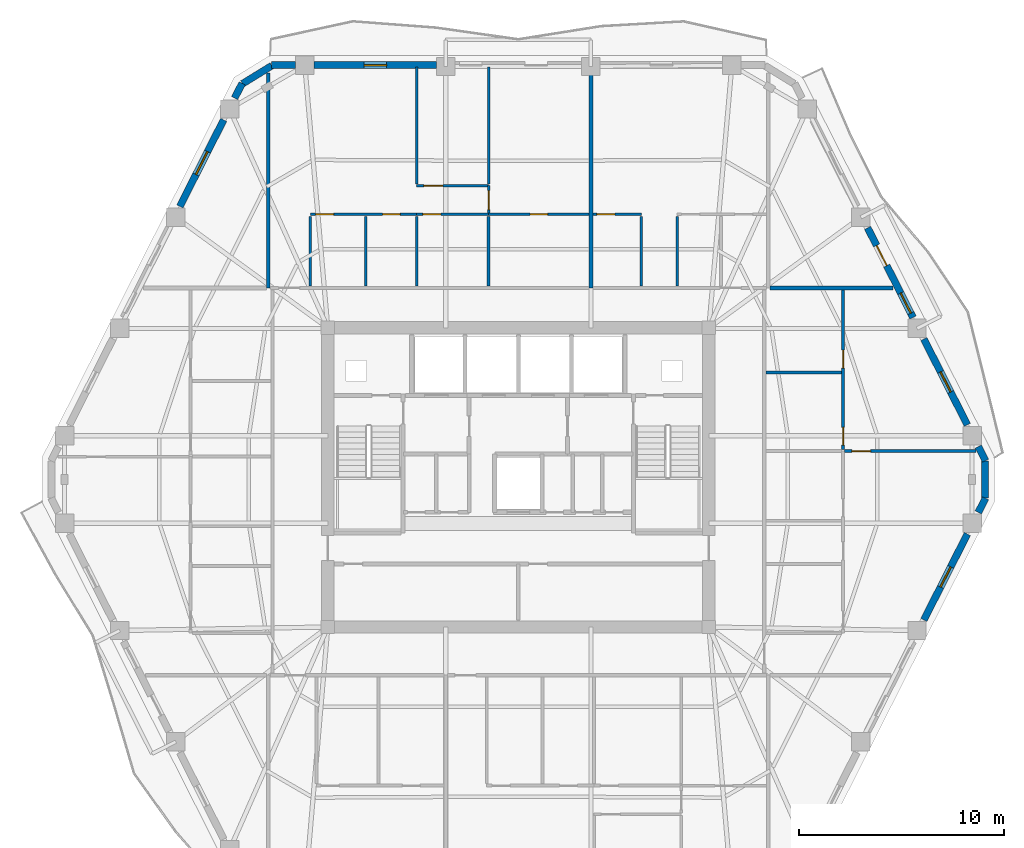
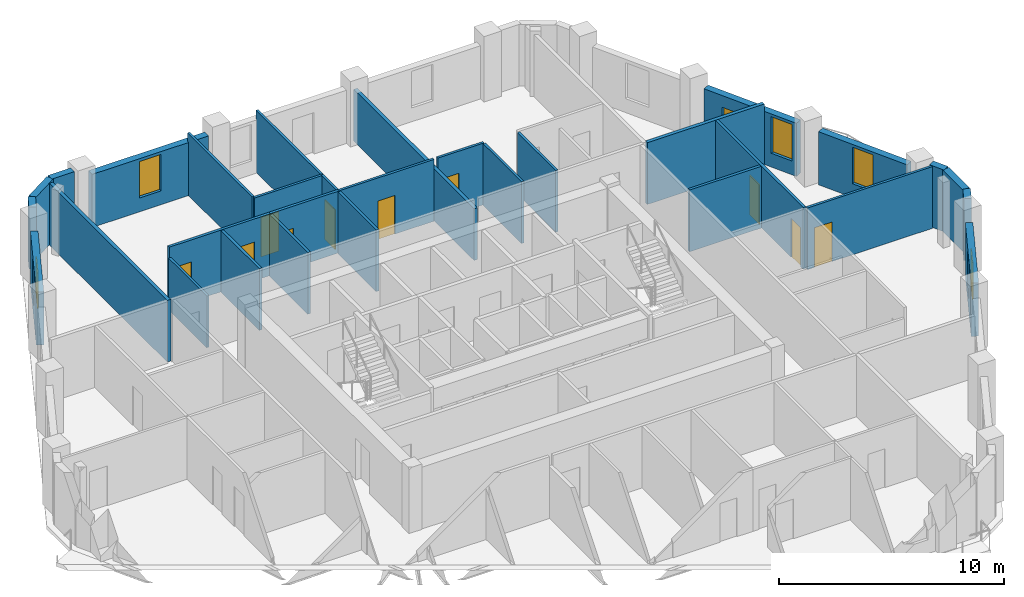
# One storey, part 7 of 11: 31 walls, 11 doors, 5 windows, 16 openings.
"""IFC4 building model written with IfcOpenShell, lengths in metres."""

from ifc_helpers import new_model, si_unit, direction, frame, frame_2d, origin, place, context, subcontext, project, spatial, rectangle, extrude, material, layer, layer_set, type_object, element, fill, save


model = new_model("IFC4")

# Units and contexts
model_context = context("Model", 3, precision=1e-05, world=origin(), true_north=direction((0.0, 1.0)))
body_context = subcontext(model_context, "Body", "Model", "MODEL_VIEW")
ifc_project = project(units=[si_unit("LENGTHUNIT", "METRE"), si_unit("AREAUNIT", "SQUARE_METRE"), si_unit("VOLUMEUNIT", "CUBIC_METRE"), si_unit("PLANEANGLEUNIT", "RADIAN"), si_unit("MASSUNIT", "GRAM", prefix="KILO")], contexts=[model_context])

# Site, building, storey
site_placement = place(None, origin())
site = spatial("IfcSite", under=ifc_project, at=site_placement, CompositionType="ELEMENT")
building_placement = place(site_placement, origin())
building = spatial("IfcBuilding", under=site, at=building_placement, Name="Cinnabar Lancet Tower", CompositionType="ELEMENT")
storey_placement = place(building_placement, frame((0.0, 0.0, 179.0)))
storey = spatial("IfcBuildingStorey", under=building, at=storey_placement, Name="L47", CompositionType="ELEMENT", Elevation=179.0)

# Walls
ifc_material_1 = material(Name="Fire-rated twin-frame acoustic drywall", Category="gypsum")
ifc_layer_1 = layer(ifc_material_1, 0.179931640625)
ifc_layer_set_1 = layer_set([ifc_layer_1], Name="Fire-rated twin-frame acoustic drywall")
wall_type_1 = type_object("IfcWallType", Name="ARC-WL-PARTY-180", PredefinedType="PARTITIONING", material=ifc_layer_set_1)
wall_1_placement = place(storey_placement, frame((20.199951171875, 35.14990234375, 0.0), z_axis=(0.0, 0.0, 1.0), x_axis=(0.0, 1.0, 0.0)))
element("IfcWall", 1, at=wall_1_placement, inside=storey, type_object=wall_type_1, Name="PW-L47-NPTY-202", PredefinedType="PARTITIONING", context=body_context, shape_type="SweptSolid", body=[
    extrude(rectangle(XDim=10.482177734375, YDim=0.179931640625, at=frame_2d((5.2412109375, 0.0))), origin(), (0.0, 0.0, 1.0), 3.35009765625),
])
wall_2_placement = place(storey_placement, frame((35.943115234375, 35.14990234375, 0.0), z_axis=(0.0, 0.0, 1.0), x_axis=(0.0, 1.0, 0.0)))
element("IfcWall", 2, at=wall_2_placement, inside=storey, type_object=wall_type_1, Name="PW-L47-NPTY-359", PredefinedType="PARTITIONING", context=body_context, shape_type="SweptSolid", body=[
    extrude(rectangle(XDim=10.695068359375, YDim=0.179931640625, at=frame_2d((5.34765625, 0.0))), origin(), (0.0, 0.0, 1.0), 2.806884765625),
])
wall_3_placement = place(storey_placement, frame((44.695068359375, 35.14990234375, 0.0), z_axis=(0.0, 0.0, 1.0), x_axis=(1.0, 0.0, 0.0)))
element("IfcWall", 3, at=wall_3_placement, inside=storey, type_object=wall_type_1, Name="PW-L47-ENB", PredefinedType="PARTITIONING", context=body_context, shape_type="SweptSolid", body=[
    extrude(rectangle(XDim=5.994873046875, YDim=0.179931640625, at=frame_2d((2.99755859375, 0.0))), origin(), (0.0, 0.0, 1.0), 3.35009765625),
])
ifc_material_2 = material(Name="Gypsum plasterboard stud partition", Category="gypsum")
ifc_layer_2 = layer(ifc_material_2, 0.125)
ifc_layer_set_2 = layer_set([ifc_layer_2], Name="Gypsum plasterboard stud partition")
wall_type_2 = type_object("IfcWallType", Name="ARC-WL-UNIT-125", PredefinedType="PARTITIONING", material=ifc_layer_set_2)
wall_4_placement = place(storey_placement, frame((22.25, 35.235107421875, 0.0), z_axis=(0.0, 0.0, 1.0), x_axis=(0.0, 1.0, 0.0)))
element("IfcWall", 4, at=wall_4_placement, inside=storey, type_object=wall_type_2, Name="UW-L47-N01-FOYE", PredefinedType="PARTITIONING", context=body_context, shape_type="SweptSolid", body=[
    extrude(rectangle(XDim=3.40478515625, YDim=0.125, at=frame_2d((1.702392578125, 0.0))), origin(), (0.0, 0.0, 1.0), 2.806884765625),
])

# Wall, opening, door
wall_5_placement = place(storey_placement, frame((30.949951171875, 38.7451171875, 0.0), z_axis=(0.0, 0.0, 1.0), x_axis=(1.0, 0.0, 0.0)))
wall_5 = element("IfcWall", 5, at=wall_5_placement, inside=storey, type_object=wall_type_2, Name="UW-L47-N01-SP2", PredefinedType="PARTITIONING", context=body_context, shape_type="SweptSolid", body=[
    extrude(rectangle(XDim=4.89794921875, YDim=0.125, at=frame_2d((2.448974609375, 0.0))), origin(), (0.0, 0.0, 1.0), 3.35009765625),
])
opening_1_placement = place(wall_5_placement, frame((2.02392578125, 0.0, 0.0)))
opening_1 = element("IfcOpeningElement", 6, at=opening_1_placement, cuts=wall_5, Name="Opening BD-01", PredefinedType="OPENING", context=body_context, shape_type="SweptSolid", body=[
    extrude(rectangle(XDim=0.860107421875, YDim=2.10009765625, at=frame_2d((0.43017578125, 1.050048828125))), frame((0.0, 0.072509765625, 0.0), z_axis=(0.0, -1.0, 0.0), x_axis=(1.0, 0.0, 0.0)), (0.0, 0.0, 1.0), 0.14501953125),
])
ifc_material_3 = material(Name="Moisture-resistant timber bathroom door", Category="wood")
door_type_1 = type_object("IfcDoorType", Name="ARC-DR-BATH", OperationType="NOTDEFINED", PredefinedType="DOOR", material=ifc_material_3)
door_1_placement = place(opening_1_placement, origin())
door_1 = element("IfcDoor", 7, at=door_1_placement, inside=storey, type_object=door_type_1, Name="DR-L47-N01-ENS", OperationType="SINGLE_SWING_LEFT", OverallHeight=2.10009765625, OverallWidth=0.860107421875, PredefinedType="DOOR", context=body_context, shape_type="SweptSolid", body=[
    extrude(rectangle(XDim=0.860107421875, YDim=2.10009765625, at=frame_2d((0.43017578125, 1.050048828125))), frame((0.0, 0.02490234375, 0.0), z_axis=(0.0, -1.0, 0.0), x_axis=(1.0, 0.0, 0.0)), (0.0, 0.0, 1.0), 0.050048828125),
])
fill(opening_1, door_1)

# Wall
wall_6_placement = place(storey_placement, frame((27.44189453125, 40.2099609375, 0.0), z_axis=(0.0, 0.0, 1.0), x_axis=(0.0, 1.0, 0.0)))
element("IfcWall", 8, at=wall_6_placement, inside=storey, type_object=wall_type_2, Name="UW-L47-N01-BD2W", PredefinedType="PARTITIONING", context=body_context, shape_type="SweptSolid", body=[
    extrude(rectangle(XDim=5.72509765625, YDim=0.125, at=frame_2d((2.862548828125, 0.0))), origin(), (0.0, 0.0, 1.0), 3.35009765625),
])

# Wall, opening, door
wall_7_placement = place(storey_placement, frame((27.44189453125, 40.14501953125, 0.0), z_axis=(0.0, 0.0, 1.0), x_axis=(1.0, 0.0, 0.0)))
wall_7 = element("IfcWall", 9, at=wall_7_placement, inside=storey, type_object=wall_type_2, Name="UW-L47-N01-HLN", PredefinedType="PARTITIONING", context=body_context, shape_type="SweptSolid", body=[
    extrude(rectangle(XDim=3.508056640625, YDim=0.125, at=frame_2d((1.75390625, 0.0))), origin(), (0.0, 0.0, 1.0), 3.35009765625),
])
opening_2_placement = place(wall_7_placement, frame((0.35009765625, 0.0, 0.0)))
opening_2 = element("IfcOpeningElement", 10, at=opening_2_placement, cuts=wall_7, Name="Opening RD-01", PredefinedType="OPENING", context=body_context, shape_type="SweptSolid", body=[
    extrude(rectangle(XDim=0.919921875, YDim=2.14990234375, at=frame_2d((0.4599609375, 1.074951171875))), frame((0.0, 0.072509765625, 0.0), z_axis=(0.0, -1.0, 0.0), x_axis=(1.0, 0.0, 0.0)), (0.0, 0.0, 1.0), 0.14501953125),
])
ifc_material_4 = material(Name="Engineered timber bedroom door", Category="wood")
door_type_2 = type_object("IfcDoorType", Name="ARC-DR-ROOM", OperationType="NOTDEFINED", PredefinedType="DOOR", material=ifc_material_4)
door_2_placement = place(opening_2_placement, origin())
door_2 = element("IfcDoor", 11, at=door_2_placement, inside=storey, type_object=door_type_2, Name="DR-L47-N01-BD2", OperationType="SINGLE_SWING_RIGHT", OverallHeight=2.14990234375, OverallWidth=0.919921875, PredefinedType="DOOR", context=body_context, shape_type="SweptSolid", body=[
    extrude(rectangle(XDim=0.919921875, YDim=2.14990234375, at=frame_2d((0.4599609375, 1.074951171875))), frame((0.0, 0.02490234375, 0.0), z_axis=(0.0, -1.0, 0.0), x_axis=(1.0, 0.0, 0.0)), (0.0, 0.0, 1.0), 0.050048828125),
])
fill(opening_2, door_2)

wall_8_placement = place(storey_placement, frame((30.949951171875, 38.81494140625, 0.0), z_axis=(0.0, 0.0, 1.0), x_axis=(0.0, 1.0, 0.0)))
wall_8 = element("IfcWall", 12, at=wall_8_placement, inside=storey, type_object=wall_type_2, Name="UW-L47-N01-MBE", PredefinedType="PARTITIONING", context=body_context, shape_type="SweptSolid", body=[
    extrude(rectangle(XDim=1.330078125, YDim=0.125, at=frame_2d((0.6650390625, 0.0))), origin(), (0.0, 0.0, 1.0), 3.35009765625),
])
opening_3_placement = place(wall_8_placement, frame((0.159912109375, 0.0, 0.0)))
opening_3 = element("IfcOpeningElement", 13, at=opening_3_placement, cuts=wall_8, Name="Opening RD-01", PredefinedType="OPENING", context=body_context, shape_type="SweptSolid", body=[
    extrude(rectangle(XDim=0.919921875, YDim=2.14990234375, at=frame_2d((0.4599609375, 1.074951171875))), frame((0.0, 0.072509765625, 0.0), z_axis=(0.0, -1.0, 0.0), x_axis=(1.0, 0.0, 0.0)), (0.0, 0.0, 1.0), 0.14501953125),
])
door_3_placement = place(opening_3_placement, origin())
door_3 = element("IfcDoor", 14, at=door_3_placement, inside=storey, type_object=door_type_2, Name="DR-L47-N01-MBD", OperationType="SINGLE_SWING_RIGHT", OverallHeight=2.14990234375, OverallWidth=0.919921875, PredefinedType="DOOR", context=body_context, shape_type="SweptSolid", body=[
    extrude(rectangle(XDim=0.919921875, YDim=2.14990234375, at=frame_2d((0.4599609375, 1.074951171875))), frame((0.0, 0.02490234375, 0.0), z_axis=(0.0, -1.0, 0.0), x_axis=(1.0, 0.0, 0.0)), (0.0, 0.0, 1.0), 0.050048828125),
])
fill(opening_3, door_3)

# Walls
wall_9_placement = place(storey_placement, frame((30.949951171875, 40.2099609375, 0.0), z_axis=(0.0, 0.0, 1.0), x_axis=(0.0, 1.0, 0.0)))
element("IfcWall", 15, at=wall_9_placement, inside=storey, type_object=wall_type_2, Name="UW-L47-N01-MB2W", PredefinedType="PARTITIONING", context=body_context, shape_type="SweptSolid", body=[
    extrude(rectangle(XDim=5.72509765625, YDim=0.125, at=frame_2d((2.862548828125, 0.0))), origin(), (0.0, 0.0, 1.0), 3.35009765625),
])
for number, where, z_axis, x_axis, name in (
    (16, (40.14990234375, 35.235107421875, 0.0), (0.0, 0.0, 1.0), (0.0, 1.0, 0.0), "UW-L47-N02-FOYE"),
    (17, (38.39990234375, 35.235107421875, 0.0), (0.0, 0.0, 1.0), (0.0, 1.0, 0.0), "UW-L47-N02-FOYW"),
):
    element("IfcWall", number, at=place(storey_placement, frame(where, z_axis=z_axis, x_axis=x_axis)), inside=storey, type_object=wall_type_2, Name=name, PredefinedType="PARTITIONING", context=body_context, shape_type="SweptSolid", body=[
        extrude(rectangle(XDim=3.40478515625, YDim=0.125, at=frame_2d((1.702392578125, 0.0))), origin(), (0.0, 0.0, 1.0), 3.35009765625),
    ])

# Wall, opening, door
wall_10_placement = place(storey_placement, frame((36.0380859375, 38.7451171875, 0.0), z_axis=(0.0, 0.0, 1.0), x_axis=(1.0, 0.0, 0.0)))
wall_10 = element("IfcWall", 18, at=wall_10_placement, inside=storey, type_object=wall_type_2, Name="UW-L47-N02-SP0", PredefinedType="PARTITIONING", context=body_context, shape_type="SweptSolid", body=[
    extrude(rectangle(XDim=2.36181640625, YDim=0.125, at=frame_2d((1.180908203125, 0.0))), origin(), (0.0, 0.0, 1.0), 3.35009765625),
])
opening_4_placement = place(wall_10_placement, frame((0.199951171875, 0.0, 0.0)))
opening_4 = element("IfcOpeningElement", 19, at=opening_4_placement, cuts=wall_10, Name="Opening RD-02", PredefinedType="OPENING", context=body_context, shape_type="SweptSolid", body=[
    extrude(rectangle(XDim=0.8798828125, YDim=2.14990234375, at=frame_2d((0.43994140625, 1.074951171875))), frame((0.0, 0.072509765625, 0.0), z_axis=(0.0, -1.0, 0.0), x_axis=(1.0, 0.0, 0.0)), (0.0, 0.0, 1.0), 0.14501953125),
])
ifc_material_5 = material(Name="Engineered timber study door", Category="wood")
door_type_3 = type_object("IfcDoorType", Name="ARC-DR-STUDY", OperationType="NOTDEFINED", PredefinedType="DOOR", material=ifc_material_5)
door_4_placement = place(opening_4_placement, origin())
door_4 = element("IfcDoor", 20, at=door_4_placement, inside=storey, type_object=door_type_3, Name="DR-L47-N02-EX0", OperationType="SINGLE_SWING_RIGHT", OverallHeight=2.14990234375, OverallWidth=0.8798828125, PredefinedType="DOOR", context=body_context, shape_type="SweptSolid", body=[
    extrude(rectangle(XDim=0.8798828125, YDim=2.14990234375, at=frame_2d((0.43994140625, 1.074951171875))), frame((0.0, 0.02490234375, 0.0), z_axis=(0.0, -1.0, 0.0), x_axis=(1.0, 0.0, 0.0)), (0.0, 0.0, 1.0), 0.050048828125),
])
fill(opening_4, door_4)

wall_11_placement = place(storey_placement, frame((48.324951171875, 27.18896484375, 0.0), z_axis=(0.0, 0.0, 1.0), x_axis=(1.0, 0.0, 0.0)))
wall_11 = element("IfcWall", 21, at=wall_11_placement, inside=storey, type_object=wall_type_2, Name="UW-L47-E01-MBN", PredefinedType="PARTITIONING", context=body_context, shape_type="SweptSolid", body=[
    extrude(rectangle(XDim=6.407958984375, YDim=0.125, at=frame_2d((3.2041015625, 0.0))), origin(), (0.0, 0.0, 1.0), 3.35009765625),
])
opening_5_placement = place(wall_11_placement, frame((0.35009765625, 0.0, 0.0)))
opening_5 = element("IfcOpeningElement", 22, at=opening_5_placement, cuts=wall_11, Name="Opening RD-01", PredefinedType="OPENING", context=body_context, shape_type="SweptSolid", body=[
    extrude(rectangle(XDim=0.919921875, YDim=2.14990234375, at=frame_2d((0.4599609375, 1.074951171875))), frame((0.0, 0.072509765625, 0.0), z_axis=(0.0, -1.0, 0.0), x_axis=(1.0, 0.0, 0.0)), (0.0, 0.0, 1.0), 0.14501953125),
])
door_5_placement = place(opening_5_placement, origin())
door_5 = element("IfcDoor", 23, at=door_5_placement, inside=storey, type_object=door_type_2, Name="DR-L47-E01-MBD", OperationType="SINGLE_SWING_LEFT", OverallHeight=2.14990234375, OverallWidth=0.919921875, PredefinedType="DOOR", context=body_context, shape_type="SweptSolid", body=[
    extrude(rectangle(XDim=0.919921875, YDim=2.14990234375, at=frame_2d((0.4599609375, 1.074951171875))), frame((0.0, 0.02490234375, 0.0), z_axis=(0.0, -1.0, 0.0), x_axis=(1.0, 0.0, 0.0)), (0.0, 0.0, 1.0), 0.050048828125),
])
fill(opening_5, door_5)

# Wall, openings, doors
ifc_material_6 = material(Name="Moisture-resistant cement-board plumbing wall", Category="masonry")
ifc_layer_3 = layer(ifc_material_6, 0.139892578125)
ifc_layer_set_3 = layer_set([ifc_layer_3], Name="Moisture-resistant cement-board plumbing wall")
wall_type_3 = type_object("IfcWallType", Name="ARC-WL-WET-140", PredefinedType="PLUMBINGWALL", material=ifc_layer_set_3)
wall_12_placement = place(storey_placement, frame((22.25, 38.7451171875, 0.0), z_axis=(0.0, 0.0, 1.0), x_axis=(1.0, 0.0, 0.0)))
wall_12 = element("IfcWall", 24, at=wall_12_placement, inside=storey, type_object=wall_type_3, Name="UW-L47-N01-SPL", PredefinedType="PLUMBINGWALL", context=body_context, shape_type="SweptSolid", body=[
    extrude(rectangle(XDim=5.19189453125, YDim=0.139892578125, at=frame_2d((2.595947265625, 0.0))), origin(), (0.0, 0.0, 1.0), 3.35009765625),
])
opening_6_placement = place(wall_12_placement, frame((3.52099609375, 0.0, 0.0)))
opening_6 = element("IfcOpeningElement", 25, at=opening_6_placement, cuts=wall_12, Name="Opening BD-01", PredefinedType="OPENING", context=body_context, shape_type="SweptSolid", body=[
    extrude(rectangle(XDim=0.860107421875, YDim=2.10009765625, at=frame_2d((0.43017578125, 1.050048828125))), frame((0.0, 0.079833984375, 0.0), z_axis=(0.0, -1.0, 0.0), x_axis=(1.0, 0.0, 0.0)), (0.0, 0.0, 1.0), 0.159912109375),
])
opening_7_placement = place(wall_12_placement, frame((0.260009765625, 0.0, 0.0)))
opening_7 = element("IfcOpeningElement", 26, at=opening_7_placement, cuts=wall_12, Name="Opening RD-02", PredefinedType="OPENING", context=body_context, shape_type="SweptSolid", body=[
    extrude(rectangle(XDim=0.8798828125, YDim=2.14990234375, at=frame_2d((0.43994140625, 1.074951171875))), frame((0.0, 0.079833984375, 0.0), z_axis=(0.0, -1.0, 0.0), x_axis=(1.0, 0.0, 0.0)), (0.0, 0.0, 1.0), 0.159912109375),
])
door_6_placement = place(opening_6_placement, origin())
door_6 = element("IfcDoor", 27, at=door_6_placement, inside=storey, type_object=door_type_1, Name="DR-L47-N01-BTH", OperationType="SINGLE_SWING_LEFT", OverallHeight=2.10009765625, OverallWidth=0.860107421875, PredefinedType="DOOR", context=body_context, shape_type="SweptSolid", body=[
    extrude(rectangle(XDim=0.860107421875, YDim=2.10009765625, at=frame_2d((0.43017578125, 1.050048828125))), frame((0.0, 0.02490234375, 0.0), z_axis=(0.0, -1.0, 0.0), x_axis=(1.0, 0.0, 0.0)), (0.0, 0.0, 1.0), 0.050048828125),
])
fill(opening_6, door_6)
door_7_placement = place(opening_7_placement, origin())
door_7 = element("IfcDoor", 28, at=door_7_placement, inside=storey, type_object=door_type_3, Name="DR-L47-N01-KIT", OperationType="SINGLE_SWING_RIGHT", OverallHeight=2.14990234375, OverallWidth=0.8798828125, PredefinedType="DOOR", context=body_context, shape_type="SweptSolid", body=[
    extrude(rectangle(XDim=0.8798828125, YDim=2.14990234375, at=frame_2d((0.43994140625, 1.074951171875))), frame((0.0, 0.02490234375, 0.0), z_axis=(0.0, -1.0, 0.0), x_axis=(1.0, 0.0, 0.0)), (0.0, 0.0, 1.0), 0.050048828125),
])
fill(opening_7, door_7)

# Wall, opening, door
wall_13_placement = place(storey_placement, frame((27.44189453125, 38.7451171875, 0.0), z_axis=(0.0, 0.0, 1.0), x_axis=(1.0, 0.0, 0.0)))
wall_13 = element("IfcWall", 29, at=wall_13_placement, inside=storey, type_object=wall_type_3, Name="UW-L47-N01-SPM", PredefinedType="PLUMBINGWALL", context=body_context, shape_type="SweptSolid", body=[
    extrude(rectangle(XDim=3.508056640625, YDim=0.139892578125, at=frame_2d((1.75390625, 0.0))), origin(), (0.0, 0.0, 1.0), 3.35009765625),
])
opening_8_placement = place(wall_13_placement, frame((0.300048828125, 0.0, 0.0)))
opening_8 = element("IfcOpeningElement", 30, at=opening_8_placement, cuts=wall_13, Name="Opening RD-02", PredefinedType="OPENING", context=body_context, shape_type="SweptSolid", body=[
    extrude(rectangle(XDim=0.8798828125, YDim=2.14990234375, at=frame_2d((0.43994140625, 1.074951171875))), frame((0.0, 0.079833984375, 0.0), z_axis=(0.0, -1.0, 0.0), x_axis=(1.0, 0.0, 0.0)), (0.0, 0.0, 1.0), 0.159912109375),
])
door_8_placement = place(opening_8_placement, origin())
door_8 = element("IfcDoor", 31, at=door_8_placement, inside=storey, type_object=door_type_3, Name="DR-L47-N01-UTL", OperationType="SINGLE_SWING_LEFT", OverallHeight=2.14990234375, OverallWidth=0.8798828125, PredefinedType="DOOR", context=body_context, shape_type="SweptSolid", body=[
    extrude(rectangle(XDim=0.8798828125, YDim=2.14990234375, at=frame_2d((0.43994140625, 1.074951171875))), frame((0.0, 0.02490234375, 0.0), z_axis=(0.0, -1.0, 0.0), x_axis=(1.0, 0.0, 0.0)), (0.0, 0.0, 1.0), 0.050048828125),
])
fill(opening_8, door_8)

# Walls
for number, where, z_axis, x_axis, name in (
    (32, (24.949951171875, 35.235107421875, 0.0), (0.0, 0.0, 1.0), (0.0, 1.0, 0.0), "UW-L47-N01-KDV"),
    (33, (27.44189453125, 35.235107421875, 0.0), (0.0, 0.0, 1.0), (0.0, 1.0, 0.0), "UW-L47-N01-ENSW"),
    (34, (30.949951171875, 35.235107421875, 0.0), (0.0, 0.0, 1.0), (0.0, 1.0, 0.0), "UW-L47-N01-ENSE"),
):
    element("IfcWall", number, at=place(storey_placement, frame(where, z_axis=z_axis, x_axis=x_axis)), inside=storey, type_object=wall_type_3, Name=name, PredefinedType="PLUMBINGWALL", context=body_context, shape_type="SweptSolid", body=[
        extrude(rectangle(XDim=3.40478515625, YDim=0.139892578125, at=frame_2d((1.702392578125, 0.0))), origin(), (0.0, 0.0, 1.0), 3.35009765625),
    ])

# Wall, openings, doors
wall_14_placement = place(storey_placement, frame((48.25, 27.259033203125, 0.0), z_axis=(0.0, 0.0, 1.0), x_axis=(0.0, 1.0, 0.0)))
wall_14 = element("IfcWall", 35, at=wall_14_placement, inside=storey, type_object=wall_type_3, Name="UW-L47-E01-SPM", PredefinedType="PLUMBINGWALL", context=body_context, shape_type="SweptSolid", body=[
    extrude(rectangle(XDim=7.7958984375, YDim=0.139892578125, at=frame_2d((3.89794921875, 0.0))), origin(), (0.0, 0.0, 1.0), 3.35009765625),
])
opening_9_placement = place(wall_14_placement, frame((0.219970703125, 0.0, 0.0)))
opening_9 = element("IfcOpeningElement", 36, at=opening_9_placement, cuts=wall_14, Name="Opening BD-01", PredefinedType="OPENING", context=body_context, shape_type="SweptSolid", body=[
    extrude(rectangle(XDim=0.860107421875, YDim=2.10009765625, at=frame_2d((0.43017578125, 1.050048828125))), frame((0.0, 0.079833984375, 0.0), z_axis=(0.0, -1.0, 0.0), x_axis=(1.0, 0.0, 0.0)), (0.0, 0.0, 1.0), 0.159912109375),
])
opening_10_placement = place(wall_14_placement, frame((3.97998046875, 0.0, 0.0)))
opening_10 = element("IfcOpeningElement", 37, at=opening_10_placement, cuts=wall_14, Name="Opening RD-02", PredefinedType="OPENING", context=body_context, shape_type="SweptSolid", body=[
    extrude(rectangle(XDim=0.8798828125, YDim=2.14990234375, at=frame_2d((0.43994140625, 1.074951171875))), frame((0.0, 0.079833984375, 0.0), z_axis=(0.0, -1.0, 0.0), x_axis=(1.0, 0.0, 0.0)), (0.0, 0.0, 1.0), 0.159912109375),
])
door_9_placement = place(opening_9_placement, origin())
door_9 = element("IfcDoor", 38, at=door_9_placement, inside=storey, type_object=door_type_1, Name="DR-L47-E01-ENS", OperationType="SINGLE_SWING_LEFT", OverallHeight=2.10009765625, OverallWidth=0.860107421875, PredefinedType="DOOR", context=body_context, shape_type="SweptSolid", body=[
    extrude(rectangle(XDim=0.860107421875, YDim=2.10009765625, at=frame_2d((0.43017578125, 1.050048828125))), frame((0.0, 0.02490234375, 0.0), z_axis=(0.0, -1.0, 0.0), x_axis=(1.0, 0.0, 0.0)), (0.0, 0.0, 1.0), 0.050048828125),
])
fill(opening_9, door_9)
door_10_placement = place(opening_10_placement, origin())
door_10 = element("IfcDoor", 39, at=door_10_placement, inside=storey, type_object=door_type_3, Name="DR-L47-E01-EWDR", OperationType="SINGLE_SWING_RIGHT", OverallHeight=2.14990234375, OverallWidth=0.8798828125, PredefinedType="DOOR", context=body_context, shape_type="SweptSolid", body=[
    extrude(rectangle(XDim=0.8798828125, YDim=2.14990234375, at=frame_2d((0.43994140625, 1.074951171875))), frame((0.0, 0.02490234375, 0.0), z_axis=(0.0, -1.0, 0.0), x_axis=(1.0, 0.0, 0.0)), (0.0, 0.0, 1.0), 0.050048828125),
])
fill(opening_10, door_10)

# Walls
wall_15_placement = place(storey_placement, frame((44.485107421875, 31.01904296875, 0.0), z_axis=(0.0, 0.0, 1.0), x_axis=(1.0, 0.0, 0.0)))
element("IfcWall", 40, at=wall_15_placement, inside=storey, type_object=wall_type_3, Name="UW-L47-E01-EWDV", PredefinedType="PLUMBINGWALL", context=body_context, shape_type="SweptSolid", body=[
    extrude(rectangle(XDim=3.679931640625, YDim=0.139892578125, at=frame_2d((1.83984375, 0.0))), origin(), (0.0, 0.0, 1.0), 3.35009765625),
])
ifc_material_7 = material(Name="Cinnabar red clay brick", Category="masonry")
ifc_layer_4 = layer(ifc_material_7, 0.340087890625)
ifc_layer_set_4 = layer_set([ifc_layer_4], Name="Cinnabar red clay brick")
wall_type_4 = type_object("IfcWallType", Name="ENV-WL-BRK-RED-340", PredefinedType="STANDARD", material=ifc_layer_set_4)
wall_16_placement = place(storey_placement, frame((55.177978515625, 24.89208984375, 0.0), z_axis=(0.0, 0.0, 1.0), x_axis=(0.0, 1.0, 0.0)))
element("IfcWall", 41, at=wall_16_placement, inside=storey, type_object=wall_type_4, Name="L47 Chamfered Corner Brick Pier 3.1", PredefinedType="STANDARD", context=body_context, shape_type="SweptSolid", body=[
    extrude(rectangle(XDim=1.81591796875, YDim=0.340087890625, at=frame_2d((0.907958984375, 0.0))), origin(), (0.0, 0.0, 1.0), 3.35009765625),
])
wall_17_placement = place(storey_placement, frame((20.366943359375, 45.9951171875, 0.0), z_axis=(0.0, 0.0, 1.0), x_axis=(-0.851713271379, -0.524008113828, 0.0)))
element("IfcWall", 42, at=wall_17_placement, inside=storey, type_object=wall_type_4, Name="L47 Chamfered Corner Brick Pier 5.1", PredefinedType="STANDARD", context=body_context, shape_type="SweptSolid", body=[
    extrude(rectangle(XDim=1.677734375, YDim=0.340087890625, at=frame_2d((0.8388671875, 0.0))), origin(), (0.0, 0.0, 1.0), 3.35009765625),
])

# Wall, opening, window
wall_18_placement = place(storey_placement, frame((52.193115234375, 18.943115234375, 0.0), z_axis=(0.0, 0.0, 1.0), x_axis=(0.451447222193, 0.892297823361, 0.0)))
wall_18 = element("IfcWall", 43, at=wall_18_placement, inside=storey, type_object=wall_type_4, Name="L47 Face 2 Masonry Bay Wall 4", PredefinedType="STANDARD", context=body_context, shape_type="SweptSolid", body=[
    extrude(rectangle(XDim=4.699951171875, YDim=0.340087890625, at=frame_2d((2.35009765625, 0.0))), origin(), (0.0, 0.0, 1.0), 2.883056640625),
])
opening_11_placement = place(wall_18_placement, frame((1.800048828125, 0.0, 0.75)))
opening_11 = element("IfcOpeningElement", 44, at=opening_11_placement, cuts=wall_18, Name="Opening WN-04", PredefinedType="OPENING", context=body_context, shape_type="SweptSolid", body=[
    extrude(rectangle(XDim=1.10009765625, YDim=1.98291015625, at=frame_2d((0.550048828125, 0.991455078125))), frame((0.0, 0.179931640625, 0.0), z_axis=(0.0, -1.0, 0.0), x_axis=(1.0, 0.0, 0.0)), (0.0, 0.0, 1.0), 0.360107421875),
])
ifc_material_8 = material(Name="Thermally broken bronze-anodized aluminium tall lancet window", Category="aluminium")
window_type_1 = type_object("IfcWindowType", Name="ENV-WN-LANCET-1100", PartitioningType="SINGLE_PANEL", PredefinedType="WINDOW", material=ifc_material_8)
window_1_placement = place(opening_11_placement, origin())
window_1 = element("IfcWindow", 45, at=window_1_placement, inside=storey, type_object=window_type_1, Name="L47 Face 2 Gothic Lancet Window 4", OverallHeight=1.98291015625, OverallWidth=1.10009765625, PartitioningType="SINGLE_PANEL", PredefinedType="WINDOW", context=body_context, shape_type="SweptSolid", body=[
    extrude(rectangle(XDim=1.10009765625, YDim=1.98291015625, at=frame_2d((0.550048828125, 0.991455078125))), frame((0.0, 0.030029296875, 0.0), z_axis=(0.0, -1.0, 0.0), x_axis=(1.0, 0.0, 0.0)), (0.0, 0.0, 1.0), 0.06005859375),
])
fill(opening_11, window_1)

# Walls
for number, where, z_axis, x_axis, name in (
    (46, (54.85107421875, 24.197021484375, 0.0), (0.0, 0.0, 1.0), (0.451262448184, 0.892391283496, 0.0), "L47 Face 2 Masonry Bay Wall 5"),
    (47, (55.198974609375, 26.715087890625, 0.0), (0.0, 0.0, 1.0), (-0.451262448184, 0.892391283496, 0.0), "L47 Face 3 Masonry Bay Wall 1"),
):
    element("IfcWall", number, at=place(storey_placement, frame(where, z_axis=z_axis, x_axis=x_axis)), inside=storey, type_object=wall_type_4, Name=name, PredefinedType="STANDARD", context=body_context, shape_type="SweptSolid", body=[
        extrude(rectangle(XDim=0.77099609375, YDim=0.340087890625, at=frame_2d((0.385498046875, 0.0))), origin(), (0.0, 0.0, 1.0), 3.35009765625),
    ])

# Wall, opening, window
wall_19_placement = place(storey_placement, frame((54.31494140625, 28.462890625, 0.0), z_axis=(0.0, 0.0, 1.0), x_axis=(-0.451426298588, 0.892308409096, 0.0)))
wall_19 = element("IfcWall", 48, at=wall_19_placement, inside=storey, type_object=wall_type_4, Name="L47 Face 3 Masonry Bay Wall 2", PredefinedType="STANDARD", context=body_context, shape_type="SweptSolid", body=[
    extrude(rectangle(XDim=4.7001953125, YDim=0.340087890625, at=frame_2d((2.35009765625, 0.0))), origin(), (0.0, 0.0, 1.0), 2.883056640625),
])
opening_12_placement = place(wall_19_placement, frame((1.800048828125, 0.0, 0.75)))
opening_12 = element("IfcOpeningElement", 49, at=opening_12_placement, cuts=wall_19, Name="Opening WN-04", PredefinedType="OPENING", context=body_context, shape_type="SweptSolid", body=[
    extrude(rectangle(XDim=1.10009765625, YDim=1.98291015625, at=frame_2d((0.550048828125, 0.991455078125))), frame((0.0, 0.179931640625, 0.0), z_axis=(0.0, -1.0, 0.0), x_axis=(1.0, 0.0, 0.0)), (0.0, 0.0, 1.0), 0.360107421875),
])
window_2_placement = place(opening_12_placement, origin())
window_2 = element("IfcWindow", 50, at=window_2_placement, inside=storey, type_object=window_type_1, Name="L47 Face 3 Gothic Lancet Window 2", OverallHeight=1.98291015625, OverallWidth=1.10009765625, PartitioningType="SINGLE_PANEL", PredefinedType="WINDOW", context=body_context, shape_type="SweptSolid", body=[
    extrude(rectangle(XDim=1.10009765625, YDim=1.98291015625, at=frame_2d((0.550048828125, 0.991455078125))), frame((0.0, 0.030029296875, 0.0), z_axis=(0.0, -1.0, 0.0), x_axis=(1.0, 0.0, 0.0)), (0.0, 0.0, 1.0), 0.06005859375),
])
fill(opening_12, window_2)

# Wall, openings, door, window
wall_20_placement = place(storey_placement, frame((51.6650390625, 33.701904296875, 0.0), z_axis=(0.0, 0.0, 1.0), x_axis=(-0.451524246964, 0.89225884944, 0.0)))
wall_20 = element("IfcWall", 51, at=wall_20_placement, inside=storey, type_object=wall_type_4, Name="L47 Face 3 Masonry Bay Wall 3", PredefinedType="STANDARD", context=body_context, shape_type="SweptSolid", body=[
    extrude(rectangle(XDim=4.91015625, YDim=0.340087890625, at=frame_2d((2.455078125, 0.0))), origin(), (0.0, 0.0, 1.0), 2.883056640625),
])
opening_13_placement = place(wall_20_placement, frame((2.842041015625, 0.0, 0.0)))
opening_13 = element("IfcOpeningElement", 52, at=opening_13_placement, cuts=wall_20, Name="Opening TD-01", PredefinedType="OPENING", context=body_context, shape_type="SweptSolid", body=[
    extrude(rectangle(XDim=1.10009765625, YDim=2.25, at=frame_2d((0.550048828125, 1.125))), frame((0.0, 0.179931640625, 0.0), z_axis=(0.0, -1.0, 0.0), x_axis=(1.0, 0.0, 0.0)), (0.0, 0.0, 1.0), 0.360107421875),
])
opening_14_placement = place(wall_20_placement, frame((0.240966796875, 0.0, 0.75)))
opening_14 = element("IfcOpeningElement", 53, at=opening_14_placement, cuts=wall_20, Name="Opening WN-04", PredefinedType="OPENING", context=body_context, shape_type="SweptSolid", body=[
    extrude(rectangle(XDim=1.10009765625, YDim=1.98291015625, at=frame_2d((0.550048828125, 0.991455078125))), frame((0.0, 0.179931640625, 0.0), z_axis=(0.0, -1.0, 0.0), x_axis=(1.0, 0.0, 0.0)), (0.0, 0.0, 1.0), 0.360107421875),
])
ifc_material_9 = material(Name="Thermally broken low-E glazed balcony terrace door", Category="wood")
door_type_4 = type_object("IfcDoorType", Name="ARC-DR-BALC", OperationType="NOTDEFINED", PredefinedType="DOOR", material=ifc_material_9)
door_11_placement = place(opening_13_placement, origin())
door_11 = element("IfcDoor", 54, at=door_11_placement, inside=storey, type_object=door_type_4, Name="L47 Face 3 Glazed Terrace Door", OperationType="SINGLE_SWING_RIGHT", OverallHeight=2.25, OverallWidth=1.10009765625, PredefinedType="DOOR", context=body_context, shape_type="SweptSolid", body=[
    extrude(rectangle(XDim=1.10009765625, YDim=2.25, at=frame_2d((0.550048828125, 1.125))), frame((0.0, 0.02490234375, 0.0), z_axis=(0.0, -1.0, 0.0), x_axis=(1.0, 0.0, 0.0)), (0.0, 0.0, 1.0), 0.050048828125),
])
fill(opening_13, door_11)
window_3_placement = place(opening_14_placement, origin())
window_3 = element("IfcWindow", 55, at=window_3_placement, inside=storey, type_object=window_type_1, Name="L47 Split-Bay Gothic Lancet Window 143", OverallHeight=1.98291015625, OverallWidth=1.10009765625, PartitioningType="SINGLE_PANEL", PredefinedType="WINDOW", context=body_context, shape_type="SweptSolid", body=[
    extrude(rectangle(XDim=1.10009765625, YDim=1.98291015625, at=frame_2d((0.550048828125, 0.991455078125))), frame((0.0, 0.030029296875, 0.0), z_axis=(0.0, -1.0, 0.0), x_axis=(1.0, 0.0, 0.0)), (0.0, 0.0, 1.0), 0.06005859375),
])
fill(opening_14, window_3)

# Wall, opening, window
wall_21_placement = place(storey_placement, frame((28.403076171875, 46.02001953125, 0.0), z_axis=(0.0, 0.0, 1.0), x_axis=(-1.0, 0.0, 0.0)))
wall_21 = element("IfcWall", 56, at=wall_21_placement, inside=storey, type_object=wall_type_4, Name="L47 Face 4 Masonry Bay Wall 4", PredefinedType="STANDARD", context=body_context, shape_type="SweptSolid", body=[
    extrude(rectangle(XDim=5.969970703125, YDim=0.340087890625, at=frame_2d((2.98486328125, 0.0))), origin(), (0.0, 0.0, 1.0), 2.883056640625),
])
opening_15_placement = place(wall_21_placement, frame((2.43505859375, 0.0, 0.75)))
opening_15 = element("IfcOpeningElement", 57, at=opening_15_placement, cuts=wall_21, Name="Opening WN-04", PredefinedType="OPENING", context=body_context, shape_type="SweptSolid", body=[
    extrude(rectangle(XDim=1.10009765625, YDim=1.98291015625, at=frame_2d((0.550048828125, 0.991455078125))), frame((0.0, 0.179931640625, 0.0), z_axis=(0.0, -1.0, 0.0), x_axis=(1.0, 0.0, 0.0)), (0.0, 0.0, 1.0), 0.360107421875),
])
window_4_placement = place(opening_15_placement, origin())
window_4 = element("IfcWindow", 58, at=window_4_placement, inside=storey, type_object=window_type_1, Name="L47 Face 4 Gothic Lancet Window 4", OverallHeight=1.98291015625, OverallWidth=1.10009765625, PartitioningType="SINGLE_PANEL", PredefinedType="WINDOW", context=body_context, shape_type="SweptSolid", body=[
    extrude(rectangle(XDim=1.10009765625, YDim=1.98291015625, at=frame_2d((0.550048828125, 0.991455078125))), frame((0.0, 0.030029296875, 0.0), z_axis=(0.0, -1.0, 0.0), x_axis=(1.0, 0.0, 0.0)), (0.0, 0.0, 1.0), 0.06005859375),
])
fill(opening_15, window_4)

# Walls
wall_22_placement = place(storey_placement, frame((21.52490234375, 46.02001953125, 0.0), z_axis=(0.0, 0.0, 1.0), x_axis=(-1.0, 0.0, 0.0)))
element("IfcWall", 59, at=wall_22_placement, inside=storey, type_object=wall_type_4, Name="L47 Face 4 Masonry Bay Wall 5", PredefinedType="STANDARD", context=body_context, shape_type="SweptSolid", body=[
    extrude(rectangle(XDim=1.162841796875, YDim=0.340087890625, at=frame_2d((0.58154296875, 0.0))), origin(), (0.0, 0.0, 1.0), 3.35009765625),
])
wall_23_placement = place(storey_placement, frame((18.91796875, 45.132080078125, 0.0), z_axis=(0.0, 0.0, 1.0), x_axis=(-0.451691568309, -0.892174157392, 0.0)))
element("IfcWall", 60, at=wall_23_placement, inside=storey, type_object=wall_type_4, Name="L47 Face 5 Masonry Bay Wall 1", PredefinedType="STANDARD", context=body_context, shape_type="SweptSolid", body=[
    extrude(rectangle(XDim=0.805908203125, YDim=0.340087890625, at=frame_2d((0.40283203125, 0.0))), origin(), (0.0, 0.0, 1.0), 3.35009765625),
])

# Wall, opening, window
wall_24_placement = place(storey_placement, frame((18.01708984375, 43.35107421875, 0.0), z_axis=(0.0, 0.0, 1.0), x_axis=(-0.45150207307, -0.892270070109, 0.0)))
wall_24 = element("IfcWall", 61, at=wall_24_placement, inside=storey, type_object=wall_type_4, Name="L47 Face 5 Masonry Bay Wall 2", PredefinedType="STANDARD", context=body_context, shape_type="SweptSolid", body=[
    extrude(rectangle(XDim=4.73095703125, YDim=0.340087890625, at=frame_2d((2.365478515625, 0.0))), origin(), (0.0, 0.0, 1.0), 2.883056640625),
])
opening_16_placement = place(wall_24_placement, frame((1.739990234375, 0.0, 0.75)))
opening_16 = element("IfcOpeningElement", 62, at=opening_16_placement, cuts=wall_24, Name="Opening WN-03", PredefinedType="OPENING", context=body_context, shape_type="SweptSolid", body=[
    extrude(rectangle(XDim=1.25, YDim=1.949951171875, at=frame_2d((0.625, 0.97509765625))), frame((0.0, 0.179931640625, 0.0), z_axis=(0.0, -1.0, 0.0), x_axis=(1.0, 0.0, 0.0)), (0.0, 0.0, 1.0), 0.360107421875),
])
ifc_material_10 = material(Name="Thermally broken bronze-anodized aluminium low-E double glazing", Category="aluminium")
window_type_2 = type_object("IfcWindowType", Name="ENV-WN-LANCET-1250", PartitioningType="SINGLE_PANEL", PredefinedType="WINDOW", material=ifc_material_10)
window_5_placement = place(opening_16_placement, origin())
window_5 = element("IfcWindow", 63, at=window_5_placement, inside=storey, type_object=window_type_2, Name="L47 Face 5 Gothic Lancet Window 2", OverallHeight=1.949951171875, OverallWidth=1.25, PartitioningType="SINGLE_PANEL", PredefinedType="WINDOW", context=body_context, shape_type="SweptSolid", body=[
    extrude(rectangle(XDim=1.25, YDim=1.949951171875, at=frame_2d((0.625, 0.97509765625))), frame((0.0, 0.030029296875, 0.0), z_axis=(0.0, -1.0, 0.0), x_axis=(1.0, 0.0, 0.0)), (0.0, 0.0, 1.0), 0.06005859375),
])
fill(opening_16, window_5)

save(model, "model.ifc")
